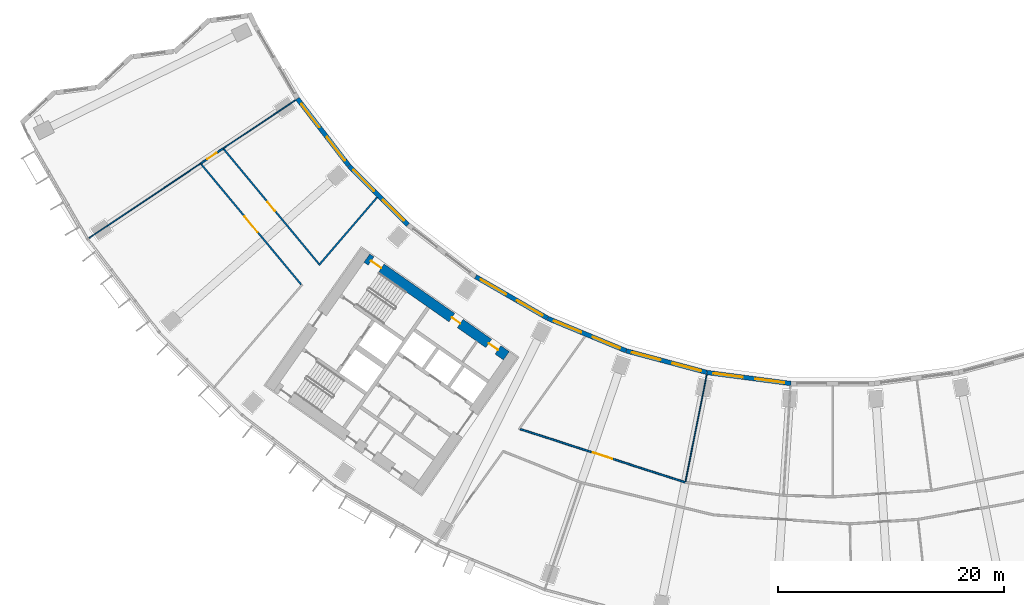
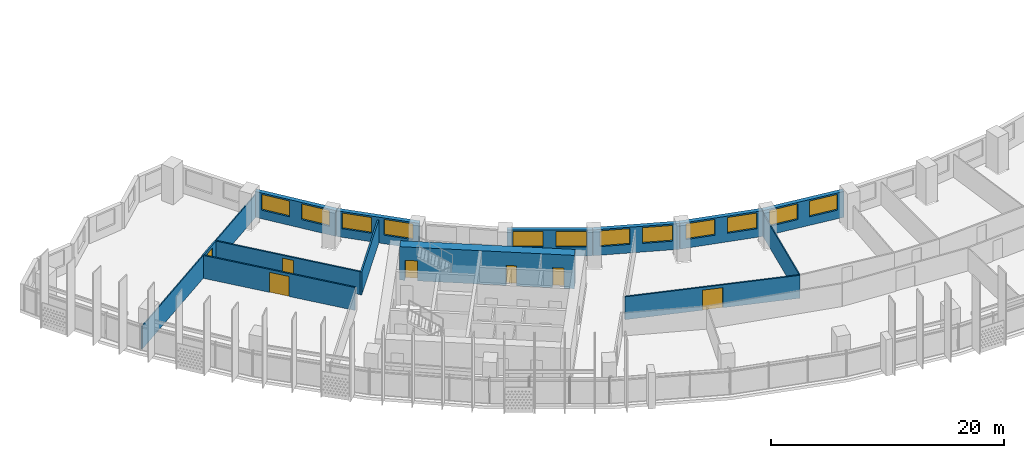
# One storey, part 4 of 33: 15 walls, 12 windows, 7 doors, 19 openings.
"""IFC4 building model written with IfcOpenShell, lengths in metres."""

from ifc_helpers import new_model, si_unit, direction, frame, frame_2d, origin, place, context, subcontext, project, spatial, rectangle, extrude, material, layer, layer_set, type_object, element, fill, save


model = new_model("IFC4")

# Units and contexts
model_context = context("Model", 3, precision=1e-05, world=origin(), true_north=direction((0.0, 1.0)))
body_context = subcontext(model_context, "Body", "Model", "MODEL_VIEW")
ifc_project = project(units=[si_unit("LENGTHUNIT", "METRE"), si_unit("AREAUNIT", "SQUARE_METRE"), si_unit("VOLUMEUNIT", "CUBIC_METRE"), si_unit("PLANEANGLEUNIT", "RADIAN"), si_unit("MASSUNIT", "GRAM", prefix="KILO")], contexts=[model_context])

# Site, building, storey
site_placement = place(None, origin())
site = spatial("IfcSite", under=ifc_project, at=site_placement, CompositionType="ELEMENT")
building_placement = place(site_placement, origin())
building = spatial("IfcBuilding", under=site, at=building_placement, Name="Qamariyya Broadcast Tower", CompositionType="ELEMENT")
storey_placement = place(building_placement, frame((0.0, 0.0, 94.89990234375)))
storey = spatial("IfcBuildingStorey", under=building, at=storey_placement, Name="L20", CompositionType="ELEMENT", Elevation=94.89990234375)

# Wall, openings, doors
ifc_material_1 = material(Name="Concrete C70/85", Category="concrete")
ifc_layer_1 = layer(ifc_material_1, 0.89990234375)
ifc_layer_set_1 = layer_set([ifc_layer_1], Name="Core wall 900 mm Concrete C70/85")
wall_type_1 = type_object("IfcWallType", Name="Core wall 900 mm Concrete C70/85", PredefinedType="SHEAR", material=ifc_layer_set_1)
wall_1_placement = place(storey_placement, frame((-28.8544921875, -54.32421875, 0.0), z_axis=(0.0, 0.0, 1.0), x_axis=(-0.819145767589, 0.573585400304, 0.0)))
wall_1 = element("IfcWall", 1, at=wall_1_placement, inside=storey, type_object=wall_type_1, Name="k-W-L20-WI", PredefinedType="SHEAR", context=body_context, shape_type="SweptSolid", body=[
    extrude(rectangle(XDim=15.04541015625, YDim=0.89990234375, at=frame_2d((7.522705078125, 0.0))), origin(), (0.0, 0.0, 1.0), 3.5),
])
opening_1_placement = place(wall_1_placement, frame((0.89990234375, 0.0, 0.0)))
opening_1 = element("IfcOpeningElement", 2, at=opening_1_placement, cuts=wall_1, Name="Opening KD7-W1", PredefinedType="OPENING", context=body_context, shape_type="SweptSolid", body=[
    extrude(rectangle(XDim=1.0, YDim=2.10009765625, at=frame_2d((0.5, 1.050048828125))), frame((0.0, 0.4599609375, 0.0), z_axis=(0.0, -1.0, 0.0), x_axis=(1.0, 0.0, 0.0)), (0.0, 0.0, 1.0), 0.919921875),
])
opening_2_placement = place(wall_1_placement, frame((4.97509765625, 0.0, 0.0)))
opening_2 = element("IfcOpeningElement", 3, at=opening_2_placement, cuts=wall_1, Name="Opening KD5-W1", PredefinedType="OPENING", context=body_context, shape_type="SweptSolid", body=[
    extrude(rectangle(XDim=0.89990234375, YDim=2.10009765625, at=frame_2d((0.449951171875, 1.050048828125))), frame((0.0, 0.4599609375, 0.0), z_axis=(0.0, -1.0, 0.0), x_axis=(1.0, 0.0, 0.0)), (0.0, 0.0, 1.0), 0.919921875),
])
opening_3_placement = place(wall_1_placement, frame((13.495361328125, 0.0, 0.0)))
opening_3 = element("IfcOpeningElement", 4, at=opening_3_placement, cuts=wall_1, Name="Opening KD1-W1", PredefinedType="OPENING", context=body_context, shape_type="SweptSolid", body=[
    extrude(rectangle(XDim=1.10009765625, YDim=2.10009765625, at=frame_2d((0.550048828125, 1.050048828125))), frame((0.0, 0.4599609375, 0.0), z_axis=(0.0, -1.0, 0.0), x_axis=(1.0, 0.0, 0.0)), (0.0, 0.0, 1.0), 0.919921875),
])
ifc_material_2 = material(Name="Steel fire-resisting door leaf", Category="steel")
door_type_1 = type_object("IfcDoorType", Name="Accessible toilet door KD7", OperationType="SINGLE_SWING_LEFT", PredefinedType="DOOR", material=ifc_material_2)
door_1_placement = place(opening_1_placement, origin())
door_1 = element("IfcDoor", 5, at=door_1_placement, inside=storey, type_object=door_type_1, Name="k-W-L20-WI-D8", OperationType="SINGLE_SWING_LEFT", OverallHeight=2.10009765625, OverallWidth=1.0, PredefinedType="DOOR", context=body_context, shape_type="SweptSolid", body=[
    extrude(rectangle(XDim=1.0, YDim=2.10009765625, at=frame_2d((0.5, 1.050048828125))), frame((0.0, 0.02490234375, 0.0), z_axis=(0.0, -1.0, 0.0), x_axis=(1.0, 0.0, 0.0)), (0.0, 0.0, 1.0), 0.050048828125),
])
fill(opening_1, door_1)
door_type_2 = type_object("IfcDoorType", Name="Stair door KD1", OperationType="SINGLE_SWING_LEFT", PredefinedType="DOOR", material=ifc_material_2)
door_2_placement = place(opening_3_placement, origin())
door_2 = element("IfcDoor", 6, at=door_2_placement, inside=storey, type_object=door_type_2, Name="k-W-L20-WI-D16", OperationType="SINGLE_SWING_RIGHT", OverallHeight=2.10009765625, OverallWidth=1.10009765625, PredefinedType="DOOR", context=body_context, shape_type="SweptSolid", body=[
    extrude(rectangle(XDim=1.10009765625, YDim=2.10009765625, at=frame_2d((0.550048828125, 1.050048828125))), frame((0.0, 0.02490234375, 0.0), z_axis=(0.0, -1.0, 0.0), x_axis=(1.0, 0.0, 0.0)), (0.0, 0.0, 1.0), 0.050048828125),
])
fill(opening_3, door_2)
door_type_3 = type_object("IfcDoorType", Name="Toilet door KD5", OperationType="SINGLE_SWING_LEFT", PredefinedType="DOOR", material=ifc_material_2)
door_3_placement = place(opening_2_placement, origin())
door_3 = element("IfcDoor", 7, at=door_3_placement, inside=storey, type_object=door_type_3, Name="k-W-L20-WI-D9", OperationType="SINGLE_SWING_RIGHT", OverallHeight=2.10009765625, OverallWidth=0.89990234375, PredefinedType="DOOR", context=body_context, shape_type="SweptSolid", body=[
    extrude(rectangle(XDim=0.89990234375, YDim=2.10009765625, at=frame_2d((0.449951171875, 1.050048828125))), frame((0.0, 0.02490234375, 0.0), z_axis=(0.0, -1.0, 0.0), x_axis=(1.0, 0.0, 0.0)), (0.0, 0.0, 1.0), 0.050048828125),
])
fill(opening_2, door_3)

# Wall, opening, door
ifc_material_3 = material(Name="Gypsum board partition")
ifc_layer_2 = layer(ifc_material_3, 0.14990234375)
ifc_layer_set_2 = layer_set([ifc_layer_2], Name="Corridor partition 150 EI 60")
wall_type_2 = type_object("IfcWallType", Name="Corridor partition 150 EI 60", PredefinedType="PARTITIONING", material=ifc_layer_set_2)
wall_2_placement = place(storey_placement, frame((-55.874755859375, -37.334228515625, 0.0), z_axis=(0.0, 0.0, 1.0), x_axis=(0.831502137361, 0.555521552744, 0.0)))
wall_2 = element("IfcWall", 8, at=wall_2_placement, inside=storey, type_object=wall_type_2, Name="Partition L20-002", PredefinedType="PARTITIONING", context=body_context, shape_type="SweptSolid", body=[
    extrude(rectangle(XDim=2.39990234375, YDim=0.14990234375, at=frame_2d((1.199951171875, 0.0))), origin(), (0.0, 0.0, 1.0), 2.400146484375),
])
opening_4_placement = place(wall_2_placement, frame((0.699951171875, 0.0, 0.0)))
opening_4 = element("IfcOpeningElement", 9, at=opening_4_placement, cuts=wall_2, Name="Opening L20-D13", PredefinedType="OPENING", context=body_context, shape_type="SweptSolid", body=[
    extrude(rectangle(XDim=1.0, YDim=2.10009765625, at=frame_2d((0.5, 1.050048828125))), frame((0.0, 0.0849609375, 0.0), z_axis=(0.0, -1.0, 0.0), x_axis=(1.0, 0.0, 0.0)), (0.0, 0.0, 1.0), 0.169921875),
])
ifc_material_4 = material(Name="Timber fire door leaf", Category="wood")
door_type_4 = type_object("IfcDoorType", Name="Fire door 1000 x 2100 FD60", OperationType="NOTDEFINED", PredefinedType="DOOR", material=ifc_material_4)
door_4_placement = place(opening_4_placement, origin())
door_4 = element("IfcDoor", 10, at=door_4_placement, inside=storey, type_object=door_type_4, Name="Door L20-D13", OperationType="SINGLE_SWING_RIGHT", OverallHeight=2.10009765625, OverallWidth=1.0, PredefinedType="DOOR", context=body_context, shape_type="SweptSolid", body=[
    extrude(rectangle(XDim=1.0, YDim=2.10009765625, at=frame_2d((0.5, 1.050048828125))), frame((0.0, 0.02490234375, 0.0), z_axis=(0.0, -1.0, 0.0), x_axis=(1.0, 0.0, 0.0)), (0.0, 0.0, 1.0), 0.050048828125),
])
fill(opening_4, door_4)

wall_3_placement = place(storey_placement, frame((-46.986572265625, -48.031982421875, 0.0), z_axis=(0.0, 0.0, 1.0), x_axis=(-0.639064031796, 0.76915353686, 0.0)))
wall_3 = element("IfcWall", 11, at=wall_3_placement, inside=storey, type_object=wall_type_2, Name="Partition L20-004", PredefinedType="PARTITIONING", context=body_context, shape_type="SweptSolid", body=[
    extrude(rectangle(XDim=13.833251953125, YDim=0.14990234375, at=frame_2d((6.91650390625, 0.0))), origin(), (0.0, 0.0, 1.0), 2.400146484375),
])
opening_5_placement = place(wall_3_placement, frame((6.0166015625, 0.0, 0.0)))
opening_5 = element("IfcOpeningElement", 12, at=opening_5_placement, cuts=wall_3, Name="Opening L20-D12", PredefinedType="OPENING", context=body_context, shape_type="SweptSolid", body=[
    extrude(rectangle(XDim=1.800048828125, YDim=2.10009765625, at=frame_2d((0.89990234375, 1.050048828125))), frame((0.0, 0.0849609375, 0.0), z_axis=(0.0, -1.0, 0.0), x_axis=(1.0, 0.0, 0.0)), (0.0, 0.0, 1.0), 0.169921875),
])
door_type_5 = type_object("IfcDoorType", Name="Double fire door 1800 x 2100 FD60", OperationType="NOTDEFINED", PredefinedType="DOOR", material=ifc_material_4)
door_5_placement = place(opening_5_placement, origin())
door_5 = element("IfcDoor", 13, at=door_5_placement, inside=storey, type_object=door_type_5, Name="Door L20-D12", OperationType="DOUBLE_DOOR_SINGLE_SWING", OverallHeight=2.10009765625, OverallWidth=1.800048828125, PredefinedType="DOOR", context=body_context, shape_type="SweptSolid", body=[
    extrude(rectangle(XDim=1.800048828125, YDim=2.10009765625, at=frame_2d((0.89990234375, 1.050048828125))), frame((0.0, 0.02490234375, 0.0), z_axis=(0.0, -1.0, 0.0), x_axis=(1.0, 0.0, 0.0)), (0.0, 0.0, 1.0), 0.050048828125),
])
fill(opening_5, door_5)

wall_4_placement = place(storey_placement, frame((-53.831298828125, -36.05859375, 0.0), z_axis=(0.0, 0.0, 1.0), x_axis=(0.638141497298, -0.769919105768, 0.0)))
wall_4 = element("IfcWall", 14, at=wall_4_placement, inside=storey, type_object=wall_type_2, Name="Partition L20-006", PredefinedType="PARTITIONING", context=body_context, shape_type="SweptSolid", body=[
    extrude(rectangle(XDim=13.179931640625, YDim=0.14990234375, at=frame_2d((6.58984375, 0.0))), origin(), (0.0, 0.0, 1.0), 2.400146484375),
])
opening_6_placement = place(wall_4_placement, frame((6.08984375, 0.0, 0.0)))
opening_6 = element("IfcOpeningElement", 15, at=opening_6_placement, cuts=wall_4, Name="Opening L20-D11", PredefinedType="OPENING", context=body_context, shape_type="SweptSolid", body=[
    extrude(rectangle(XDim=1.0, YDim=2.10009765625, at=frame_2d((0.5, 1.050048828125))), frame((0.0, 0.0849609375, 0.0), z_axis=(0.0, -1.0, 0.0), x_axis=(1.0, 0.0, 0.0)), (0.0, 0.0, 1.0), 0.169921875),
])
door_6_placement = place(opening_6_placement, origin())
door_6 = element("IfcDoor", 16, at=door_6_placement, inside=storey, type_object=door_type_4, Name="Door L20-D11", OperationType="SINGLE_SWING_RIGHT", OverallHeight=2.10009765625, OverallWidth=1.0, PredefinedType="DOOR", context=body_context, shape_type="SweptSolid", body=[
    extrude(rectangle(XDim=1.0, YDim=2.10009765625, at=frame_2d((0.5, 1.050048828125))), frame((0.0, 0.02490234375, 0.0), z_axis=(0.0, -1.0, 0.0), x_axis=(1.0, 0.0, 0.0)), (0.0, 0.0, 1.0), 0.050048828125),
])
fill(opening_6, door_6)

# Wall
wall_5_placement = place(storey_placement, frame((-40.267578125, -40.310791015625, 0.0), z_axis=(0.0, 0.0, 1.0), x_axis=(-0.65098181151, -0.759093328309, 0.0)))
element("IfcWall", 17, at=wall_5_placement, inside=storey, type_object=wall_type_2, Name="Partition L20-007", PredefinedType="PARTITIONING", context=body_context, shape_type="SweptSolid", body=[
    extrude(rectangle(XDim=7.917236328125, YDim=0.14990234375, at=frame_2d((3.95849609375, 0.0))), origin(), (0.0, 0.0, 1.0), 2.400146484375),
])

# Wall, opening, door
wall_6_placement = place(storey_placement, frame((-27.63916015625, -60.80419921875, 0.0), z_axis=(0.0, 0.0, 1.0), x_axis=(0.951705469381, -0.307012539729, 0.0)))
wall_6 = element("IfcWall", 18, at=wall_6_placement, inside=storey, type_object=wall_type_2, Name="Partition L20-010", PredefinedType="PARTITIONING", context=body_context, shape_type="SweptSolid", body=[
    extrude(rectangle(XDim=15.348388671875, YDim=0.14990234375, at=frame_2d((7.67431640625, 0.0))), origin(), (0.0, 0.0, 1.0), 2.400146484375),
])
opening_7_placement = place(wall_6_placement, frame((6.774169921875, 0.0, 0.0)))
opening_7 = element("IfcOpeningElement", 19, at=opening_7_placement, cuts=wall_6, Name="Opening L20-D06", PredefinedType="OPENING", context=body_context, shape_type="SweptSolid", body=[
    extrude(rectangle(XDim=1.800048828125, YDim=2.10009765625, at=frame_2d((0.89990234375, 1.050048828125))), frame((0.0, 0.0849609375, 0.0), z_axis=(0.0, -1.0, 0.0), x_axis=(1.0, 0.0, 0.0)), (0.0, 0.0, 1.0), 0.169921875),
])
door_7_placement = place(opening_7_placement, origin())
door_7 = element("IfcDoor", 20, at=door_7_placement, inside=storey, type_object=door_type_5, Name="Door L20-D06", OperationType="DOUBLE_DOOR_SINGLE_SWING", OverallHeight=2.10009765625, OverallWidth=1.800048828125, PredefinedType="DOOR", context=body_context, shape_type="SweptSolid", body=[
    extrude(rectangle(XDim=1.800048828125, YDim=2.10009765625, at=frame_2d((0.89990234375, 1.050048828125))), frame((0.0, 0.02490234375, 0.0), z_axis=(0.0, -1.0, 0.0), x_axis=(1.0, 0.0, 0.0)), (0.0, 0.0, 1.0), 0.050048828125),
])
fill(opening_7, door_7)

# Walls
ifc_layer_3 = layer(ifc_material_3, 0.10009765625)
ifc_layer_set_3 = layer_set([ifc_layer_3], Name="Partition 100")
wall_type_3 = type_object("IfcWallType", Name="Partition 100", PredefinedType="PARTITIONING", material=ifc_layer_set_3)
wall_7_placement = place(storey_placement, frame((-65.769287109375, -43.945556640625, 0.0), z_axis=(0.0, 0.0, 1.0), x_axis=(0.831469080044, 0.555571029599, 0.0)))
element("IfcWall", 21, at=wall_7_placement, inside=storey, type_object=wall_type_3, Name="Partition L20-001", PredefinedType="PARTITIONING", context=body_context, shape_type="SweptSolid", body=[
    extrude(rectangle(XDim=11.900146484375, YDim=0.10009765625, at=frame_2d((5.9501953125, 0.0))), origin(), (0.0, 0.0, 1.0), 2.400146484375),
])
wall_8_placement = place(storey_placement, frame((-53.879150390625, -36.0009765625, 0.0), z_axis=(0.0, 0.0, 1.0), x_axis=(0.831474249382, 0.555563293078, 0.0)))
element("IfcWall", 22, at=wall_8_placement, inside=storey, type_object=wall_type_3, Name="Partition L20-003", PredefinedType="PARTITIONING", context=body_context, shape_type="SweptSolid", body=[
    extrude(rectangle(XDim=7.699951171875, YDim=0.10009765625, at=frame_2d((3.85009765625, 0.0))), origin(), (0.0, 0.0, 1.0), 2.400146484375),
])
wall_9_placement = place(storey_placement, frame((-11.1396484375, -56.0029296875, 0.0), z_axis=(0.0, 0.0, 1.0), x_axis=(-0.195086769421, -0.980785987052, 0.0)))
element("IfcWall", 23, at=wall_9_placement, inside=storey, type_object=wall_type_3, Name="Partition L20-015", PredefinedType="PARTITIONING", context=body_context, shape_type="SweptSolid", body=[
    extrude(rectangle(XDim=9.624755859375, YDim=0.10009765625, at=frame_2d((4.8125, 0.0))), origin(), (0.0, 0.0, 1.0), 2.400146484375),
])

# Wall, openings, windows
ifc_material_5 = material(Name="Terracotta", Category="masonry")
ifc_layer_4 = layer(ifc_material_5, 0.39990234375)
ifc_layer_set_4 = layer_set([ifc_layer_4], Name="Terracotta clad wall 400")
wall_type_4 = type_object("IfcWallType", Name="Terracotta clad wall 400", PredefinedType="SOLIDWALL", material=ifc_layer_set_4)
wall_10_placement = place(storey_placement, frame((-42.764892578125, -37.536865234375, 0.0), z_axis=(0.0, 0.0, 1.0), x_axis=(-0.608748204711, 0.793363487476, 0.0)))
wall_10 = element("IfcWall", 24, at=wall_10_placement, inside=storey, type_object=wall_type_4, Name="e-wl-L20-in20", PredefinedType="SOLIDWALL", context=body_context, shape_type="SweptSolid", body=[
    extrude(rectangle(XDim=7.492919921875, YDim=0.39990234375, at=frame_2d((3.74658203125, 0.0))), origin(), (0.0, 0.0, 1.0), 2.7001953125),
])
opening_8_placement = place(wall_10_placement, frame((4.300537109375, 0.0, 0.89990234375)))
opening_8 = element("IfcOpeningElement", 25, at=opening_8_placement, cuts=wall_10, Name="Opening W1", PredefinedType="OPENING", context=body_context, shape_type="SweptSolid", body=[
    extrude(rectangle(XDim=2.60009765625, YDim=1.64990234375, at=frame_2d((1.300048828125, 0.824951171875))), frame((0.0, 0.2099609375, 0.0), z_axis=(0.0, -1.0, 0.0), x_axis=(1.0, 0.0, 0.0)), (0.0, 0.0, 1.0), 0.419921875),
])
opening_9_placement = place(wall_10_placement, frame((0.59228515625, 0.0, 0.89990234375)))
opening_9 = element("IfcOpeningElement", 26, at=opening_9_placement, cuts=wall_10, Name="Opening W1", PredefinedType="OPENING", context=body_context, shape_type="SweptSolid", body=[
    extrude(rectangle(XDim=2.60009765625, YDim=1.64990234375, at=frame_2d((1.300048828125, 0.824951171875))), frame((0.0, 0.2099609375, 0.0), z_axis=(0.0, -1.0, 0.0), x_axis=(1.0, 0.0, 0.0)), (0.0, 0.0, 1.0), 0.419921875),
])
ifc_material_6 = material(Name="Clear low-e double glazed unit in aluminium frame", Category="aluminium")
window_type = type_object("IfcWindowType", Name="Ribbon window 2600 x 1650", PartitioningType="SINGLE_PANEL", PredefinedType="WINDOW", material=ifc_material_6)
window_1_placement = place(opening_8_placement, origin())
window_1 = element("IfcWindow", 27, at=window_1_placement, inside=storey, type_object=window_type, Name="e-w-L20-in02-0", OverallHeight=1.64990234375, OverallWidth=2.60009765625, PartitioningType="SINGLE_PANEL", PredefinedType="WINDOW", context=body_context, shape_type="SweptSolid", body=[
    extrude(rectangle(XDim=2.60009765625, YDim=1.64990234375, at=frame_2d((1.300048828125, 0.824951171875))), frame((0.0, 0.030029296875, 0.0), z_axis=(0.0, -1.0, 0.0), x_axis=(1.0, 0.0, 0.0)), (0.0, 0.0, 1.0), 0.06005859375),
])
fill(opening_8, window_1)
window_2_placement = place(opening_9_placement, origin())
window_2 = element("IfcWindow", 28, at=window_2_placement, inside=storey, type_object=window_type, Name="e-w-L20-in02-1", OverallHeight=1.64990234375, OverallWidth=2.60009765625, PartitioningType="SINGLE_PANEL", PredefinedType="WINDOW", context=body_context, shape_type="SweptSolid", body=[
    extrude(rectangle(XDim=2.60009765625, YDim=1.64990234375, at=frame_2d((1.300048828125, 0.824951171875))), frame((0.0, 0.030029296875, 0.0), z_axis=(0.0, -1.0, 0.0), x_axis=(1.0, 0.0, 0.0)), (0.0, 0.0, 1.0), 0.06005859375),
])
fill(opening_9, window_2)

wall_11_placement = place(storey_placement, frame((-37.552978515625, -42.744140625, 0.0), z_axis=(0.0, 0.0, 1.0), x_axis=(-0.707106781187, 0.707106781187, 0.0)))
wall_11 = element("IfcWall", 29, at=wall_11_placement, inside=storey, type_object=wall_type_4, Name="e-wl-L20-in30", PredefinedType="SOLIDWALL", context=body_context, shape_type="SweptSolid", body=[
    extrude(rectangle(XDim=7.34130859375, YDim=0.39990234375, at=frame_2d((3.670654296875, 0.0))), origin(), (0.0, 0.0, 1.0), 2.7001953125),
])
opening_10_placement = place(wall_11_placement, frame((4.224853515625, 0.0, 0.89990234375)))
opening_10 = element("IfcOpeningElement", 30, at=opening_10_placement, cuts=wall_11, Name="Opening W1", PredefinedType="OPENING", context=body_context, shape_type="SweptSolid", body=[
    extrude(rectangle(XDim=2.60009765625, YDim=1.64990234375, at=frame_2d((1.300048828125, 0.824951171875))), frame((0.0, 0.2099609375, 0.0), z_axis=(0.0, -1.0, 0.0), x_axis=(1.0, 0.0, 0.0)), (0.0, 0.0, 1.0), 0.419921875),
])
opening_11_placement = place(wall_11_placement, frame((0.5166015625, 0.0, 0.89990234375)))
opening_11 = element("IfcOpeningElement", 31, at=opening_11_placement, cuts=wall_11, Name="Opening W1", PredefinedType="OPENING", context=body_context, shape_type="SweptSolid", body=[
    extrude(rectangle(XDim=2.60009765625, YDim=1.64990234375, at=frame_2d((1.300048828125, 0.824951171875))), frame((0.0, 0.2099609375, 0.0), z_axis=(0.0, -1.0, 0.0), x_axis=(1.0, 0.0, 0.0)), (0.0, 0.0, 1.0), 0.419921875),
])
window_3_placement = place(opening_10_placement, origin())
window_3 = element("IfcWindow", 32, at=window_3_placement, inside=storey, type_object=window_type, Name="e-w-L20-in03-0", OverallHeight=1.64990234375, OverallWidth=2.60009765625, PartitioningType="SINGLE_PANEL", PredefinedType="WINDOW", context=body_context, shape_type="SweptSolid", body=[
    extrude(rectangle(XDim=2.60009765625, YDim=1.64990234375, at=frame_2d((1.300048828125, 0.824951171875))), frame((0.0, 0.030029296875, 0.0), z_axis=(0.0, -1.0, 0.0), x_axis=(1.0, 0.0, 0.0)), (0.0, 0.0, 1.0), 0.06005859375),
])
fill(opening_10, window_3)
window_4_placement = place(opening_11_placement, origin())
window_4 = element("IfcWindow", 33, at=window_4_placement, inside=storey, type_object=window_type, Name="e-w-L20-in03-1", OverallHeight=1.64990234375, OverallWidth=2.60009765625, PartitioningType="SINGLE_PANEL", PredefinedType="WINDOW", context=body_context, shape_type="SweptSolid", body=[
    extrude(rectangle(XDim=2.60009765625, YDim=1.64990234375, at=frame_2d((1.300048828125, 0.824951171875))), frame((0.0, 0.030029296875, 0.0), z_axis=(0.0, -1.0, 0.0), x_axis=(1.0, 0.0, 0.0)), (0.0, 0.0, 1.0), 0.06005859375),
])
fill(opening_11, window_4)

wall_12_placement = place(storey_placement, frame((-25.21044921875, -51.007080078125, 0.0), z_axis=(0.0, 0.0, 1.0), x_axis=(-0.866030525931, 0.499991128077, 0.0)))
wall_12 = element("IfcWall", 34, at=wall_12_placement, inside=storey, type_object=wall_type_4, Name="e-wl-L20-in50", PredefinedType="SOLIDWALL", context=body_context, shape_type="SweptSolid", body=[
    extrude(rectangle(XDim=7.341552734375, YDim=0.39990234375, at=frame_2d((3.6708984375, 0.0))), origin(), (0.0, 0.0, 1.0), 2.7001953125),
])
opening_12_placement = place(wall_12_placement, frame((4.224853515625, 0.0, 0.89990234375)))
opening_12 = element("IfcOpeningElement", 35, at=opening_12_placement, cuts=wall_12, Name="Opening W1", PredefinedType="OPENING", context=body_context, shape_type="SweptSolid", body=[
    extrude(rectangle(XDim=2.60009765625, YDim=1.64990234375, at=frame_2d((1.300048828125, 0.824951171875))), frame((0.0, 0.2099609375, 0.0), z_axis=(0.0, -1.0, 0.0), x_axis=(1.0, 0.0, 0.0)), (0.0, 0.0, 1.0), 0.419921875),
])
opening_13_placement = place(wall_12_placement, frame((0.5166015625, 0.0, 0.89990234375)))
opening_13 = element("IfcOpeningElement", 36, at=opening_13_placement, cuts=wall_12, Name="Opening W1", PredefinedType="OPENING", context=body_context, shape_type="SweptSolid", body=[
    extrude(rectangle(XDim=2.60009765625, YDim=1.64990234375, at=frame_2d((1.300048828125, 0.824951171875))), frame((0.0, 0.2099609375, 0.0), z_axis=(0.0, -1.0, 0.0), x_axis=(1.0, 0.0, 0.0)), (0.0, 0.0, 1.0), 0.419921875),
])
window_5_placement = place(opening_12_placement, origin())
window_5 = element("IfcWindow", 37, at=window_5_placement, inside=storey, type_object=window_type, Name="e-w-L20-in05-0", OverallHeight=1.64990234375, OverallWidth=2.60009765625, PartitioningType="SINGLE_PANEL", PredefinedType="WINDOW", context=body_context, shape_type="SweptSolid", body=[
    extrude(rectangle(XDim=2.60009765625, YDim=1.64990234375, at=frame_2d((1.300048828125, 0.824951171875))), frame((0.0, 0.030029296875, 0.0), z_axis=(0.0, -1.0, 0.0), x_axis=(1.0, 0.0, 0.0)), (0.0, 0.0, 1.0), 0.06005859375),
])
fill(opening_12, window_5)
window_6_placement = place(opening_13_placement, origin())
window_6 = element("IfcWindow", 38, at=window_6_placement, inside=storey, type_object=window_type, Name="e-w-L20-in05-1", OverallHeight=1.64990234375, OverallWidth=2.60009765625, PartitioningType="SINGLE_PANEL", PredefinedType="WINDOW", context=body_context, shape_type="SweptSolid", body=[
    extrude(rectangle(XDim=2.60009765625, YDim=1.64990234375, at=frame_2d((1.300048828125, 0.824951171875))), frame((0.0, 0.030029296875, 0.0), z_axis=(0.0, -1.0, 0.0), x_axis=(1.0, 0.0, 0.0)), (0.0, 0.0, 1.0), 0.06005859375),
])
fill(opening_13, window_6)

wall_13_placement = place(storey_placement, frame((-18.266845703125, -53.890380859375, 0.0), z_axis=(0.0, 0.0, 1.0), x_axis=(-0.923879826967, 0.382682721486, 0.0)))
wall_13 = element("IfcWall", 39, at=wall_13_placement, inside=storey, type_object=wall_type_4, Name="e-wl-L20-in60", PredefinedType="SOLIDWALL", context=body_context, shape_type="SweptSolid", body=[
    extrude(rectangle(XDim=7.492919921875, YDim=0.39990234375, at=frame_2d((3.74658203125, 0.0))), origin(), (0.0, 0.0, 1.0), 2.7001953125),
])
opening_14_placement = place(wall_13_placement, frame((4.300537109375, 0.0, 0.89990234375)))
opening_14 = element("IfcOpeningElement", 40, at=opening_14_placement, cuts=wall_13, Name="Opening W1", PredefinedType="OPENING", context=body_context, shape_type="SweptSolid", body=[
    extrude(rectangle(XDim=2.60009765625, YDim=1.64990234375, at=frame_2d((1.300048828125, 0.824951171875))), frame((0.0, 0.2099609375, 0.0), z_axis=(0.0, -1.0, 0.0), x_axis=(1.0, 0.0, 0.0)), (0.0, 0.0, 1.0), 0.419921875),
])
opening_15_placement = place(wall_13_placement, frame((0.59228515625, 0.0, 0.89990234375)))
opening_15 = element("IfcOpeningElement", 41, at=opening_15_placement, cuts=wall_13, Name="Opening W1", PredefinedType="OPENING", context=body_context, shape_type="SweptSolid", body=[
    extrude(rectangle(XDim=2.60009765625, YDim=1.64990234375, at=frame_2d((1.300048828125, 0.824951171875))), frame((0.0, 0.2099609375, 0.0), z_axis=(0.0, -1.0, 0.0), x_axis=(1.0, 0.0, 0.0)), (0.0, 0.0, 1.0), 0.419921875),
])
window_7_placement = place(opening_14_placement, origin())
window_7 = element("IfcWindow", 42, at=window_7_placement, inside=storey, type_object=window_type, Name="e-w-L20-in06-0", OverallHeight=1.64990234375, OverallWidth=2.60009765625, PartitioningType="SINGLE_PANEL", PredefinedType="WINDOW", context=body_context, shape_type="SweptSolid", body=[
    extrude(rectangle(XDim=2.60009765625, YDim=1.64990234375, at=frame_2d((1.300048828125, 0.824951171875))), frame((0.0, 0.030029296875, 0.0), z_axis=(0.0, -1.0, 0.0), x_axis=(1.0, 0.0, 0.0)), (0.0, 0.0, 1.0), 0.06005859375),
])
fill(opening_14, window_7)
window_8_placement = place(opening_15_placement, origin())
window_8 = element("IfcWindow", 43, at=window_8_placement, inside=storey, type_object=window_type, Name="e-w-L20-in06-1", OverallHeight=1.64990234375, OverallWidth=2.60009765625, PartitioningType="SINGLE_PANEL", PredefinedType="WINDOW", context=body_context, shape_type="SweptSolid", body=[
    extrude(rectangle(XDim=2.60009765625, YDim=1.64990234375, at=frame_2d((1.300048828125, 0.824951171875))), frame((0.0, 0.030029296875, 0.0), z_axis=(0.0, -1.0, 0.0), x_axis=(1.0, 0.0, 0.0)), (0.0, 0.0, 1.0), 0.06005859375),
])
fill(opening_15, window_8)

wall_14_placement = place(storey_placement, frame((-11.149658203125, -55.7939453125, 0.0), z_axis=(0.0, 0.0, 1.0), x_axis=(-0.965924597867, 0.258823629594, 0.0)))
wall_14 = element("IfcWall", 44, at=wall_14_placement, inside=storey, type_object=wall_type_4, Name="e-wl-L20-in70", PredefinedType="SOLIDWALL", context=body_context, shape_type="SweptSolid", body=[
    extrude(rectangle(XDim=7.341552734375, YDim=0.39990234375, at=frame_2d((3.6708984375, 0.0))), origin(), (0.0, 0.0, 1.0), 2.7001953125),
])
opening_16_placement = place(wall_14_placement, frame((4.224853515625, 0.0, 0.89990234375)))
opening_16 = element("IfcOpeningElement", 45, at=opening_16_placement, cuts=wall_14, Name="Opening W1", PredefinedType="OPENING", context=body_context, shape_type="SweptSolid", body=[
    extrude(rectangle(XDim=2.60009765625, YDim=1.64990234375, at=frame_2d((1.300048828125, 0.824951171875))), frame((0.0, 0.2099609375, 0.0), z_axis=(0.0, -1.0, 0.0), x_axis=(1.0, 0.0, 0.0)), (0.0, 0.0, 1.0), 0.419921875),
])
opening_17_placement = place(wall_14_placement, frame((0.5166015625, 0.0, 0.89990234375)))
opening_17 = element("IfcOpeningElement", 46, at=opening_17_placement, cuts=wall_14, Name="Opening W1", PredefinedType="OPENING", context=body_context, shape_type="SweptSolid", body=[
    extrude(rectangle(XDim=2.60009765625, YDim=1.64990234375, at=frame_2d((1.300048828125, 0.824951171875))), frame((0.0, 0.2099609375, 0.0), z_axis=(0.0, -1.0, 0.0), x_axis=(1.0, 0.0, 0.0)), (0.0, 0.0, 1.0), 0.419921875),
])
window_9_placement = place(opening_16_placement, origin())
window_9 = element("IfcWindow", 47, at=window_9_placement, inside=storey, type_object=window_type, Name="e-w-L20-in07-0", OverallHeight=1.64990234375, OverallWidth=2.60009765625, PartitioningType="SINGLE_PANEL", PredefinedType="WINDOW", context=body_context, shape_type="SweptSolid", body=[
    extrude(rectangle(XDim=2.60009765625, YDim=1.64990234375, at=frame_2d((1.300048828125, 0.824951171875))), frame((0.0, 0.030029296875, 0.0), z_axis=(0.0, -1.0, 0.0), x_axis=(1.0, 0.0, 0.0)), (0.0, 0.0, 1.0), 0.06005859375),
])
fill(opening_16, window_9)
window_10_placement = place(opening_17_placement, origin())
window_10 = element("IfcWindow", 48, at=window_10_placement, inside=storey, type_object=window_type, Name="e-w-L20-in07-1", OverallHeight=1.64990234375, OverallWidth=2.60009765625, PartitioningType="SINGLE_PANEL", PredefinedType="WINDOW", context=body_context, shape_type="SweptSolid", body=[
    extrude(rectangle(XDim=2.60009765625, YDim=1.64990234375, at=frame_2d((1.300048828125, 0.824951171875))), frame((0.0, 0.030029296875, 0.0), z_axis=(0.0, -1.0, 0.0), x_axis=(1.0, 0.0, 0.0)), (0.0, 0.0, 1.0), 0.06005859375),
])
fill(opening_17, window_10)

wall_15_placement = place(storey_placement, frame((-3.69677734375, -56.781982421875, 0.0), z_axis=(0.0, 0.0, 1.0), x_axis=(-0.991444533306, 0.130528684121, 0.0)))
wall_15 = element("IfcWall", 49, at=wall_15_placement, inside=storey, type_object=wall_type_4, Name="e-wl-L20-in80", PredefinedType="SOLIDWALL", context=body_context, shape_type="SweptSolid", body=[
    extrude(rectangle(XDim=7.492919921875, YDim=0.39990234375, at=frame_2d((3.74658203125, 0.0))), origin(), (0.0, 0.0, 1.0), 2.7001953125),
])
opening_18_placement = place(wall_15_placement, frame((4.300537109375, 0.0, 0.89990234375)))
opening_18 = element("IfcOpeningElement", 50, at=opening_18_placement, cuts=wall_15, Name="Opening W1", PredefinedType="OPENING", context=body_context, shape_type="SweptSolid", body=[
    extrude(rectangle(XDim=2.60009765625, YDim=1.64990234375, at=frame_2d((1.300048828125, 0.824951171875))), frame((0.0, 0.2099609375, 0.0), z_axis=(0.0, -1.0, 0.0), x_axis=(1.0, 0.0, 0.0)), (0.0, 0.0, 1.0), 0.419921875),
])
opening_19_placement = place(wall_15_placement, frame((0.59228515625, 0.0, 0.89990234375)))
opening_19 = element("IfcOpeningElement", 51, at=opening_19_placement, cuts=wall_15, Name="Opening W1", PredefinedType="OPENING", context=body_context, shape_type="SweptSolid", body=[
    extrude(rectangle(XDim=2.60009765625, YDim=1.64990234375, at=frame_2d((1.300048828125, 0.824951171875))), frame((0.0, 0.2099609375, 0.0), z_axis=(0.0, -1.0, 0.0), x_axis=(1.0, 0.0, 0.0)), (0.0, 0.0, 1.0), 0.419921875),
])
window_11_placement = place(opening_18_placement, origin())
window_11 = element("IfcWindow", 52, at=window_11_placement, inside=storey, type_object=window_type, Name="e-w-L20-in08-0", OverallHeight=1.64990234375, OverallWidth=2.60009765625, PartitioningType="SINGLE_PANEL", PredefinedType="WINDOW", context=body_context, shape_type="SweptSolid", body=[
    extrude(rectangle(XDim=2.60009765625, YDim=1.64990234375, at=frame_2d((1.300048828125, 0.824951171875))), frame((0.0, 0.030029296875, 0.0), z_axis=(0.0, -1.0, 0.0), x_axis=(1.0, 0.0, 0.0)), (0.0, 0.0, 1.0), 0.06005859375),
])
fill(opening_18, window_11)
window_12_placement = place(opening_19_placement, origin())
window_12 = element("IfcWindow", 53, at=window_12_placement, inside=storey, type_object=window_type, Name="e-w-L20-in08-1", OverallHeight=1.64990234375, OverallWidth=2.60009765625, PartitioningType="SINGLE_PANEL", PredefinedType="WINDOW", context=body_context, shape_type="SweptSolid", body=[
    extrude(rectangle(XDim=2.60009765625, YDim=1.64990234375, at=frame_2d((1.300048828125, 0.824951171875))), frame((0.0, 0.030029296875, 0.0), z_axis=(0.0, -1.0, 0.0), x_axis=(1.0, 0.0, 0.0)), (0.0, 0.0, 1.0), 0.06005859375),
])
fill(opening_19, window_12)

save(model, "model.ifc")
